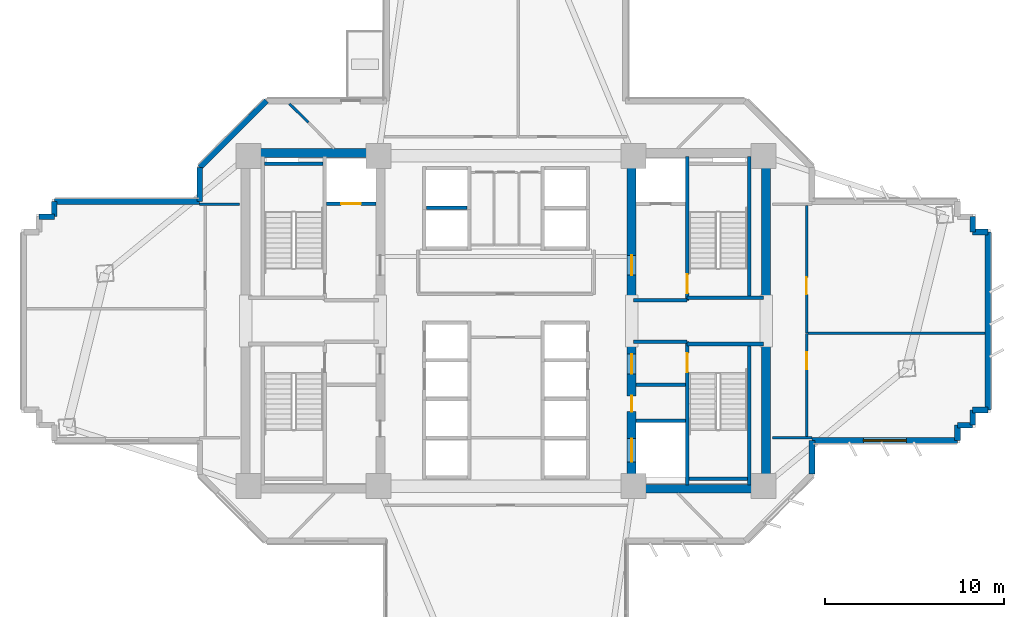
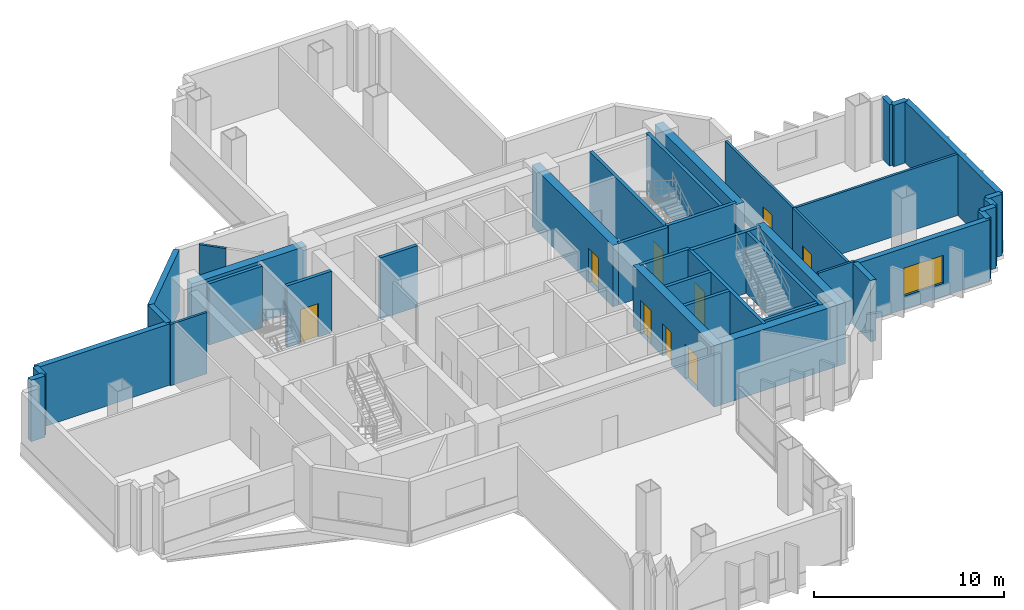
# One storey, part 7 of 14: 40 walls, 9 doors, 1 window, 10 openings.
"""IFC4 building model written with IfcOpenShell, lengths in metres."""

from ifc_helpers import new_model, si_unit, direction, frame, frame_2d, origin, place, context, subcontext, project, spatial, rectangle, extrude, source, transform, mapped, material, layer, layer_set, type_object, element, fill, save


model = new_model("IFC4")

# Units and contexts
model_context = context("Model", 3, precision=1e-05, world=origin(), true_north=direction((0.0, 1.0)))
body_context = subcontext(model_context, "Body", "Model", "MODEL_VIEW")
ifc_project = project(units=[si_unit("LENGTHUNIT", "METRE"), si_unit("AREAUNIT", "SQUARE_METRE"), si_unit("VOLUMEUNIT", "CUBIC_METRE"), si_unit("PLANEANGLEUNIT", "RADIAN"), si_unit("MASSUNIT", "GRAM", prefix="KILO")], contexts=[model_context])

# Site, building, storey
site_placement = place(None, origin())
site = spatial("IfcSite", under=ifc_project, at=site_placement, CompositionType="ELEMENT")
building_placement = place(site_placement, origin())
building = spatial("IfcBuilding", under=site, at=building_placement, Name="Zahravan Cultural Tower", CompositionType="ELEMENT")
storey_placement = place(building_placement, frame((0.0, 0.0, 33.300048828125)))
storey = spatial("IfcBuildingStorey", under=building, at=storey_placement, Name="L06", CompositionType="ELEMENT", Elevation=33.300048828125)

# Wall, openings, doors
ifc_material_1 = material(Name="Concrete C60/75", Category="concrete")
ifc_layer_1 = layer(ifc_material_1, 0.5)
ifc_layer_set_1 = layer_set([ifc_layer_1], Name="Concrete C60/75")
wall_type_1 = type_object("IfcWallType", Name="CW-SHEAR-500-C60", PredefinedType="SHEAR", material=ifc_layer_set_1)
wall_1_placement = place(storey_placement, frame((43.0, 17.39990234375, 0.0), z_axis=(0.0, 0.0, 1.0), x_axis=(0.0, 1.0, 0.0)))
wall_1 = element("IfcWall", 1, at=wall_1_placement, inside=storey, type_object=wall_type_1, Name="L06 Core Shear Wall CW-E-WS-L06", PredefinedType="SHEAR", context=body_context, shape_type="SweptSolid", body=[
    extrude(rectangle(XDim=8.550048828125, YDim=0.5, at=frame_2d((4.27490234375, 0.0))), origin(), (0.0, 0.0, 1.0), 3.949951171875),
])
opening_1_placement = place(wall_1_placement, frame((6.64990234375, 0.0, 0.0)))
opening_1 = element("IfcOpeningElement", 2, at=opening_1_placement, cuts=wall_1, Name="Opening D-L06-08", PredefinedType="OPENING", context=body_context, shape_type="SweptSolid", body=[
    extrude(rectangle(XDim=1.10009765625, YDim=2.199951171875, at=frame_2d((0.550048828125, 1.10009765625))), frame((0.0, 0.260009765625, 0.0), z_axis=(0.0, -1.0, 0.0), x_axis=(1.0, 0.0, 0.0)), (0.0, 0.0, 1.0), 0.52001953125),
])
opening_2_placement = place(wall_1_placement, frame((1.75, 0.0, 0.0)))
opening_2 = element("IfcOpeningElement", 3, at=opening_2_placement, cuts=wall_1, Name="Opening LD-L06-03", PredefinedType="OPENING", context=body_context, shape_type="SweptSolid", body=[
    extrude(rectangle(XDim=1.300048828125, YDim=2.199951171875, at=frame_2d((0.64990234375, 1.10009765625))), frame((0.0, 0.260009765625, 0.0), z_axis=(0.0, -1.0, 0.0), x_axis=(1.0, 0.0, 0.0)), (0.0, 0.0, 1.0), 0.52001953125),
])
opening_3_placement = place(wall_1_placement, frame((4.550048828125, 0.0, 0.0)))
opening_3 = element("IfcOpeningElement", 4, at=opening_3_placement, cuts=wall_1, Name="Opening D-L06-10", PredefinedType="OPENING", context=body_context, shape_type="SweptSolid", body=[
    extrude(rectangle(XDim=0.8798828125, YDim=2.10009765625, at=frame_2d((0.43994140625, 1.050048828125))), frame((0.0, 0.260009765625, 0.0), z_axis=(0.0, -1.0, 0.0), x_axis=(1.0, 0.0, 0.0)), (0.0, 0.0, 1.0), 0.52001953125),
])
ifc_material_2 = material(Name="Steel ASTM A572 Grade 50", Category="steel")
door_type_1 = type_object("IfcDoorType", Name="DR-LOBBY-1100", OperationType="NOTDEFINED", PredefinedType="DOOR", material=ifc_material_2)
shared_shape_1 = source(origin(), body_context, "Body", "SweptSolid", [
    extrude(rectangle(XDim=1.10009765625, YDim=2.199951171875, at=frame_2d((0.550048828125, 1.10009765625))), frame((0.0, 0.02490234375, 0.0), z_axis=(0.0, -1.0, 0.0), x_axis=(1.0, 0.0, 0.0)), (0.0, 0.0, 1.0), 0.050048828125),
])
door_1_placement = place(opening_1_placement, origin())
door_1 = element("IfcDoor", 5, at=door_1_placement, inside=storey, type_object=door_type_1, Name="L06 Door D-L06-08", OperationType="SINGLE_SWING_LEFT", OverallHeight=2.199951171875, OverallWidth=1.10009765625, PredefinedType="DOOR", context=body_context, shape_type="MappedRepresentation", body=[
    mapped(shared_shape_1, transform((0.0, 0.0, 0.0), x_axis=(1.0, 0.0, 0.0), y_axis=(0.0, 1.0, 0.0), z_axis=(0.0, 0.0, 1.0), scale=1.0)),
])
fill(opening_1, door_1)
door_type_2 = type_object("IfcDoorType", Name="DR-LIFT-1300", OperationType="DOUBLE_DOOR_SLIDING", PredefinedType="DOOR", material=ifc_material_2)
shared_shape_2 = source(origin(), body_context, "Body", "SweptSolid", [
    extrude(rectangle(XDim=1.300048828125, YDim=2.199951171875, at=frame_2d((0.64990234375, 1.10009765625))), frame((0.0, 0.02490234375, 0.0), z_axis=(0.0, -1.0, 0.0), x_axis=(1.0, 0.0, 0.0)), (0.0, 0.0, 1.0), 0.050048828125),
])
door_2_placement = place(opening_2_placement, origin())
door_2 = element("IfcDoor", 6, at=door_2_placement, inside=storey, type_object=door_type_2, Name="L06 Door LD-L06-03", OperationType="DOUBLE_DOOR_SLIDING", OverallHeight=2.199951171875, OverallWidth=1.300048828125, PredefinedType="DOOR", context=body_context, shape_type="MappedRepresentation", body=[
    mapped(shared_shape_2, transform((0.0, 0.0, 0.0), x_axis=(1.0, 0.0, 0.0), y_axis=(0.0, 1.0, 0.0), z_axis=(0.0, 0.0, 1.0), scale=1.0)),
])
fill(opening_2, door_2)
door_type_3 = type_object("IfcDoorType", Name="DR-SVC-880", OperationType="NOTDEFINED", PredefinedType="DOOR", material=ifc_material_2)
shared_shape_3 = source(origin(), body_context, "Body", "SweptSolid", [
    extrude(rectangle(XDim=0.8798828125, YDim=2.10009765625, at=frame_2d((0.43994140625, 1.050048828125))), frame((0.0, 0.02490234375, 0.0), z_axis=(0.0, -1.0, 0.0), x_axis=(1.0, 0.0, 0.0)), (0.0, 0.0, 1.0), 0.050048828125),
])
door_3_placement = place(opening_3_placement, origin())
door_3 = element("IfcDoor", 7, at=door_3_placement, inside=storey, type_object=door_type_3, Name="L06 Door D-L06-10", OperationType="SINGLE_SWING_LEFT", OverallHeight=2.10009765625, OverallWidth=0.8798828125, PredefinedType="DOOR", context=body_context, shape_type="MappedRepresentation", body=[
    mapped(shared_shape_3, transform((0.0, 0.0, 0.0), x_axis=(1.0, 0.0, 0.0), y_axis=(0.0, 1.0, 0.0), z_axis=(0.0, 0.0, 1.0), scale=1.0)),
])
fill(opening_3, door_3)

# Wall, opening, door
wall_2_placement = place(storey_placement, frame((43.0, 28.050048828125, 0.0), z_axis=(0.0, 0.0, 1.0), x_axis=(0.0, 1.0, 0.0)))
wall_2 = element("IfcWall", 8, at=wall_2_placement, inside=storey, type_object=wall_type_1, Name="L06 Core Shear Wall CW-E-WN-L06", PredefinedType="SHEAR", context=body_context, shape_type="SweptSolid", body=[
    extrude(rectangle(XDim=8.550048828125, YDim=0.5, at=frame_2d((4.27490234375, 0.0))), origin(), (0.0, 0.0, 1.0), 3.949951171875),
])
opening_4_placement = place(wall_2_placement, frame((1.5, 0.0, 0.0)))
opening_4 = element("IfcOpeningElement", 9, at=opening_4_placement, cuts=wall_2, Name="Opening D-L06-06", PredefinedType="OPENING", context=body_context, shape_type="SweptSolid", body=[
    extrude(rectangle(XDim=1.10009765625, YDim=2.199951171875, at=frame_2d((0.550048828125, 1.10009765625))), frame((0.0, 0.260009765625, 0.0), z_axis=(0.0, -1.0, 0.0), x_axis=(1.0, 0.0, 0.0)), (0.0, 0.0, 1.0), 0.52001953125),
])
door_4_placement = place(opening_4_placement, origin())
door_4 = element("IfcDoor", 10, at=door_4_placement, inside=storey, type_object=door_type_1, Name="L06 Door D-L06-06", OperationType="SINGLE_SWING_LEFT", OverallHeight=2.199951171875, OverallWidth=1.10009765625, PredefinedType="DOOR", context=body_context, shape_type="MappedRepresentation", body=[
    mapped(shared_shape_1, transform((0.0, 0.0, 0.0), x_axis=(1.0, 0.0, 0.0), y_axis=(0.0, 1.0, 0.0), z_axis=(0.0, 0.0, 1.0), scale=1.0)),
])
fill(opening_4, door_4)

# Wall, opening, window
ifc_material_3 = material(Name="Precast concrete C40/50", Category="concrete")
ifc_layer_2 = layer(ifc_material_3, 0.320068359375)
ifc_layer_set_2 = layer_set([ifc_layer_2], Name="Precast concrete C40/50")
wall_type_2 = type_object("IfcWallType", Name="EW-TC-320", PredefinedType="SOLIDWALL", material=ifc_layer_set_2)
wall_3_placement = place(storey_placement, frame((61.159912109375, 20.340087890625, 0.0), z_axis=(0.0, 0.0, 1.0), x_axis=(-1.0, 0.0, 0.0)))
wall_3 = element("IfcWall", 11, at=wall_3_placement, inside=storey, type_object=wall_type_2, Name="L06 Exterior Masonry Frame Wall 11", PredefinedType="SOLIDWALL", context=body_context, shape_type="SweptSolid", body=[
    extrude(rectangle(XDim=8.099853515625, YDim=0.320068359375, at=frame_2d((4.0498046875, 0.0))), origin(), (0.0, 0.0, 1.0), 3.949951171875),
])
opening_5_placement = place(wall_3_placement, frame((2.85009765625, 0.0, 0.85009765625)))
opening_5 = element("IfcOpeningElement", 12, at=opening_5_placement, cuts=wall_3, Name="Opening WN-01", PredefinedType="OPENING", context=body_context, shape_type="SweptSolid", body=[
    extrude(rectangle(XDim=2.39990234375, YDim=1.800048828125, at=frame_2d((1.199951171875, 0.89990234375))), frame((0.0, 0.169921875, 0.0), z_axis=(0.0, -1.0, 0.0), x_axis=(1.0, 0.0, 0.0)), (0.0, 0.0, 1.0), 0.340087890625),
])
ifc_material_4 = material(Name="Low-E solar-control double glazing", Category="glass")
window_type = type_object("IfcWindowType", Name="WN-REC-2400X1800", PartitioningType="DOUBLE_PANEL_VERTICAL", PredefinedType="WINDOW", material=ifc_material_4)
shared_shape_4 = source(origin(), body_context, "Body", "SweptSolid", [
    extrude(rectangle(XDim=2.39990234375, YDim=1.800048828125, at=frame_2d((1.199951171875, 0.89990234375))), frame((0.0, 0.030029296875, 0.0), z_axis=(0.0, -1.0, 0.0), x_axis=(1.0, 0.0, 0.0)), (0.0, 0.0, 1.0), 0.06005859375),
])
window_placement = place(opening_5_placement, origin())
window = element("IfcWindow", 13, at=window_placement, inside=storey, type_object=window_type, Name="L06 Recessed Solar Window 02", OverallHeight=1.800048828125, OverallWidth=2.39990234375, PartitioningType="DOUBLE_PANEL_VERTICAL", PredefinedType="WINDOW", context=body_context, shape_type="MappedRepresentation", body=[
    mapped(shared_shape_4, transform((0.0, 0.0, 0.0), x_axis=(1.0, 0.0, 0.0), y_axis=(0.0, 1.0, 0.0), z_axis=(0.0, 0.0, 1.0), scale=1.0)),
])
fill(opening_5, window)

# Wall, opening, door
ifc_material_5 = material(Name="Gypsum plasterboard partition")
ifc_layer_3 = layer(ifc_material_5, 0.139892578125)
ifc_layer_set_3 = layer_set([ifc_layer_3], Name="Gypsum plasterboard partition")
wall_type_3 = type_object("IfcWallType", Name="W-PART-140", PredefinedType="PARTITIONING", material=ifc_layer_set_3)
wall_4_placement = place(storey_placement, frame((52.75, 20.574951171875, 0.0), z_axis=(0.0, 0.0, 1.0), x_axis=(0.0, 1.0, 0.0)))
wall_4 = element("IfcWall", 14, at=wall_4_placement, inside=storey, type_object=wall_type_3, Name="L06 Interior Wall 085", PredefinedType="PARTITIONING", context=body_context, shape_type="SweptSolid", body=[
    extrude(rectangle(XDim=5.735107421875, YDim=0.139892578125, at=frame_2d((2.86767578125, 0.0))), origin(), (0.0, 0.0, 1.0), 3.949951171875),
])
opening_6_placement = place(wall_4_placement, frame((3.732421875, 0.0, 0.0)))
opening_6 = element("IfcOpeningElement", 15, at=opening_6_placement, cuts=wall_4, Name="Opening D-L06-16", PredefinedType="OPENING", context=body_context, shape_type="SweptSolid", body=[
    extrude(rectangle(XDim=0.949951171875, YDim=2.14990234375, at=frame_2d((0.47509765625, 1.074951171875))), frame((0.0, 0.079833984375, 0.0), z_axis=(0.0, -1.0, 0.0), x_axis=(1.0, 0.0, 0.0)), (0.0, 0.0, 1.0), 0.159912109375),
])
ifc_material_6 = material(Name="Anodised bronze-aluminium mullion", Category="aluminium")
door_type_4 = type_object("IfcDoorType", Name="DR-ROOM-950", OperationType="NOTDEFINED", PredefinedType="DOOR", material=ifc_material_6)
shared_shape_5 = source(origin(), body_context, "Body", "SweptSolid", [
    extrude(rectangle(XDim=0.949951171875, YDim=2.14990234375, at=frame_2d((0.47509765625, 1.074951171875))), frame((0.0, 0.02490234375, 0.0), z_axis=(0.0, -1.0, 0.0), x_axis=(1.0, 0.0, 0.0)), (0.0, 0.0, 1.0), 0.050048828125),
])
door_5_placement = place(opening_6_placement, origin())
door_5 = element("IfcDoor", 16, at=door_5_placement, inside=storey, type_object=door_type_4, Name="L06 Door D-L06-16", OperationType="SINGLE_SWING_LEFT", OverallHeight=2.14990234375, OverallWidth=0.949951171875, PredefinedType="DOOR", context=body_context, shape_type="MappedRepresentation", body=[
    mapped(shared_shape_5, transform((0.0, 0.0, 0.0), x_axis=(1.0, 0.0, 0.0), y_axis=(0.0, 1.0, 0.0), z_axis=(0.0, 0.0, 1.0), scale=1.0)),
])
fill(opening_6, door_5)

wall_5_placement = place(storey_placement, frame((52.75, 26.330078125, 0.0), z_axis=(0.0, 0.0, 1.0), x_axis=(-0.000137660459, 0.999999990525, 0.0)))
wall_5 = element("IfcWall", 17, at=wall_5_placement, inside=storey, type_object=wall_type_3, Name="L06 Interior Wall 090", PredefinedType="PARTITIONING", context=body_context, shape_type="SweptSolid", body=[
    extrude(rectangle(XDim=7.093994140625, YDim=0.139892578125, at=frame_2d((3.546875, 0.0))), origin(), (0.0, 0.0, 1.0), 3.949951171875),
])
opening_7_placement = place(wall_5_placement, frame((2.150390625, 0.0, 0.0)))
opening_7 = element("IfcOpeningElement", 18, at=opening_7_placement, cuts=wall_5, Name="Opening D-L06-17", PredefinedType="OPENING", context=body_context, shape_type="SweptSolid", body=[
    extrude(rectangle(XDim=0.949951171875, YDim=2.14990234375, at=frame_2d((0.47509765625, 1.074951171875))), frame((0.0, 0.079833984375, 0.0), z_axis=(0.0, -1.0, 0.0), x_axis=(1.0, 0.0, 0.0)), (0.0, 0.0, 1.0), 0.159912109375),
])
door_6_placement = place(opening_7_placement, origin())
door_6 = element("IfcDoor", 19, at=door_6_placement, inside=storey, type_object=door_type_4, Name="L06 Door D-L06-17", OperationType="SINGLE_SWING_RIGHT", OverallHeight=2.14990234375, OverallWidth=0.949951171875, PredefinedType="DOOR", context=body_context, shape_type="MappedRepresentation", body=[
    mapped(shared_shape_5, transform((0.0, 0.0, 0.0), x_axis=(1.0, 0.0, 0.0), y_axis=(0.0, 1.0, 0.0), z_axis=(0.0, 0.0, 1.0), scale=1.0)),
])
fill(opening_7, door_6)

ifc_material_7 = material(Name="Concrete C45/55", Category="concrete")
ifc_layer_4 = layer(ifc_material_7, 0.199951171875)
ifc_layer_set_4 = layer_set([ifc_layer_4], Name="Concrete C45/55")
wall_type_4 = type_object("IfcWallType", Name="W-SHAFT-200", PredefinedType="SOLIDWALL", material=ifc_layer_set_4)
wall_6_placement = place(storey_placement, frame((46.10009765625, 17.85009765625, 0.0), z_axis=(0.0, 0.0, 1.0), x_axis=(0.0, 1.0, 0.0)))
wall_6 = element("IfcWall", 20, at=wall_6_placement, inside=storey, type_object=wall_type_4, Name="L06 Interior Wall 007", PredefinedType="SOLIDWALL", context=body_context, shape_type="SweptSolid", body=[
    extrude(rectangle(XDim=8.0, YDim=0.199951171875, at=frame_2d((4.0, 0.0))), origin(), (0.0, 0.0, 1.0), 3.949951171875),
])
opening_8_placement = place(wall_6_placement, frame((6.300048828125, 0.0, 0.0)))
opening_8 = element("IfcOpeningElement", 21, at=opening_8_placement, cuts=wall_6, Name="Opening D-L06-03", PredefinedType="OPENING", context=body_context, shape_type="SweptSolid", body=[
    extrude(rectangle(XDim=1.050048828125, YDim=2.14990234375, at=frame_2d((0.52490234375, 1.074951171875))), frame((0.0, 0.10986328125, 0.0), z_axis=(0.0, -1.0, 0.0), x_axis=(1.0, 0.0, 0.0)), (0.0, 0.0, 1.0), 0.219970703125),
])
door_type_5 = type_object("IfcDoorType", Name="DR-STAIR-1050", OperationType="NOTDEFINED", PredefinedType="DOOR", material=ifc_material_2)
shared_shape_6 = source(origin(), body_context, "Body", "SweptSolid", [
    extrude(rectangle(XDim=1.050048828125, YDim=2.14990234375, at=frame_2d((0.52490234375, 1.074951171875))), frame((0.0, 0.02490234375, 0.0), z_axis=(0.0, -1.0, 0.0), x_axis=(1.0, 0.0, 0.0)), (0.0, 0.0, 1.0), 0.050048828125),
])
door_7_placement = place(opening_8_placement, origin())
door_7 = element("IfcDoor", 22, at=door_7_placement, inside=storey, type_object=door_type_5, Name="L06 Door D-L06-03", OperationType="SINGLE_SWING_RIGHT", OverallHeight=2.14990234375, OverallWidth=1.050048828125, PredefinedType="DOOR", context=body_context, shape_type="MappedRepresentation", body=[
    mapped(shared_shape_6, transform((0.0, 0.0, 0.0), x_axis=(1.0, 0.0, 0.0), y_axis=(0.0, 1.0, 0.0), z_axis=(0.0, 0.0, 1.0), scale=1.0)),
])
fill(opening_8, door_7)

wall_7_placement = place(storey_placement, frame((46.10009765625, 28.14990234375, 0.0), z_axis=(0.0, 0.0, 1.0), x_axis=(0.0, 1.0, 0.0)))
wall_7 = element("IfcWall", 23, at=wall_7_placement, inside=storey, type_object=wall_type_4, Name="L06 Interior Wall 008", PredefinedType="SOLIDWALL", context=body_context, shape_type="SweptSolid", body=[
    extrude(rectangle(XDim=8.0, YDim=0.199951171875, at=frame_2d((4.0, 0.0))), origin(), (0.0, 0.0, 1.0), 3.949951171875),
])
opening_9_placement = place(wall_7_placement, frame((0.39990234375, 0.0, 0.0)))
opening_9 = element("IfcOpeningElement", 24, at=opening_9_placement, cuts=wall_7, Name="Opening D-L06-02", PredefinedType="OPENING", context=body_context, shape_type="SweptSolid", body=[
    extrude(rectangle(XDim=1.050048828125, YDim=2.14990234375, at=frame_2d((0.52490234375, 1.074951171875))), frame((0.0, 0.10986328125, 0.0), z_axis=(0.0, -1.0, 0.0), x_axis=(1.0, 0.0, 0.0)), (0.0, 0.0, 1.0), 0.219970703125),
])
door_8_placement = place(opening_9_placement, origin())
door_8 = element("IfcDoor", 25, at=door_8_placement, inside=storey, type_object=door_type_5, Name="L06 Door D-L06-02", OperationType="SINGLE_SWING_LEFT", OverallHeight=2.14990234375, OverallWidth=1.050048828125, PredefinedType="DOOR", context=body_context, shape_type="MappedRepresentation", body=[
    mapped(shared_shape_6, transform((0.0, 0.0, 0.0), x_axis=(1.0, 0.0, 0.0), y_axis=(0.0, 1.0, 0.0), z_axis=(0.0, 0.0, 1.0), scale=1.0)),
])
fill(opening_9, door_8)

wall_8_placement = place(storey_placement, frame((26.0, 33.52001953125, 0.0), z_axis=(0.0, 0.0, 1.0), x_axis=(1.0, 0.0, 0.0)))
wall_8 = element("IfcWall", 26, at=wall_8_placement, inside=storey, type_object=wall_type_4, Name="L06 Interior Wall 021", PredefinedType="SOLIDWALL", context=body_context, shape_type="SweptSolid", body=[
    extrude(rectangle(XDim=2.75, YDim=0.199951171875, at=frame_2d((1.375, 0.0))), origin(), (0.0, 0.0, 1.0), 3.949951171875),
])
opening_10_placement = place(wall_8_placement, frame((0.820068359375, 0.0, 0.0)))
opening_10 = element("IfcOpeningElement", 27, at=opening_10_placement, cuts=wall_8, Name="Opening LD-L06-01", PredefinedType="OPENING", context=body_context, shape_type="SweptSolid", body=[
    extrude(rectangle(XDim=1.10009765625, YDim=2.14990234375, at=frame_2d((0.550048828125, 1.074951171875))), frame((0.0, 0.10986328125, 0.0), z_axis=(0.0, -1.0, 0.0), x_axis=(1.0, 0.0, 0.0)), (0.0, 0.0, 1.0), 0.219970703125),
])
door_type_6 = type_object("IfcDoorType", Name="DR-LIFT-1100", OperationType="DOUBLE_DOOR_SLIDING", PredefinedType="DOOR", material=ifc_material_2)
shared_shape_7 = source(origin(), body_context, "Body", "SweptSolid", [
    extrude(rectangle(XDim=1.10009765625, YDim=2.14990234375, at=frame_2d((0.550048828125, 1.074951171875))), frame((0.0, 0.02490234375, 0.0), z_axis=(0.0, -1.0, 0.0), x_axis=(1.0, 0.0, 0.0)), (0.0, 0.0, 1.0), 0.050048828125),
])
door_9_placement = place(opening_10_placement, origin())
door_9 = element("IfcDoor", 28, at=door_9_placement, inside=storey, type_object=door_type_6, Name="L06 Door LD-L06-01", OperationType="DOUBLE_DOOR_SLIDING", OverallHeight=2.14990234375, OverallWidth=1.10009765625, PredefinedType="DOOR", context=body_context, shape_type="MappedRepresentation", body=[
    mapped(shared_shape_7, transform((0.0, 0.0, 0.0), x_axis=(1.0, 0.0, 0.0), y_axis=(0.0, 1.0, 0.0), z_axis=(0.0, 0.0, 1.0), scale=1.0)),
])
fill(opening_10, door_9)

# Walls
shared_shape_8 = source(origin(), body_context, "Body", "SweptSolid", [
    extrude(rectangle(XDim=8.550048828125, YDim=0.5, at=frame_2d((4.27490234375, 0.0))), origin(), (0.0, 0.0, 1.0), 3.949951171875),
])
for number, where, z_axis, x_axis, name in (
    (29, (50.5, 17.39990234375, 0.0), (0.0, 0.0, 1.0), (0.0, 1.0, 0.0), "L06 Core Shear Wall CW-E-ES-L06"),
    (30, (50.5, 28.050048828125, 0.0), (0.0, 0.0, 1.0), (0.0, 1.0, 0.0), "L06 Core Shear Wall CW-E-EN-L06"),
):
    element("IfcWall", number, at=place(storey_placement, frame(where, z_axis=z_axis, x_axis=x_axis)), inside=storey, type_object=wall_type_1, Name=name, PredefinedType="SHEAR", context=body_context, shape_type="MappedRepresentation", body=[
        mapped(shared_shape_8, transform((0.0, 0.0, 0.0), x_axis=(1.0, 0.0, 0.0), y_axis=(0.0, 1.0, 0.0), z_axis=(0.0, 0.0, 1.0), scale=1.0)),
    ])
shared_shape_9 = source(origin(), body_context, "Body", "SweptSolid", [
    extrude(rectangle(XDim=7.0, YDim=0.5, at=frame_2d((3.5, 0.0))), origin(), (0.0, 0.0, 1.0), 3.949951171875),
])
for number, where, z_axis, x_axis, name in (
    (31, (21.75, 36.35009765625, 0.0), (0.0, 0.0, 1.0), (1.0, 0.0, 0.0), "L06 Core Shear Wall CW-W-N-L06"),
    (32, (43.25, 17.64990234375, 0.0), (0.0, 0.0, 1.0), (1.0, 0.0, 0.0), "L06 Core Shear Wall CW-E-S-L06"),
):
    element("IfcWall", number, at=place(storey_placement, frame(where, z_axis=z_axis, x_axis=x_axis)), inside=storey, type_object=wall_type_1, Name=name, PredefinedType="SHEAR", context=body_context, shape_type="MappedRepresentation", body=[
        mapped(shared_shape_9, transform((0.0, 0.0, 0.0), x_axis=(1.0, 0.0, 0.0), y_axis=(0.0, 1.0, 0.0), z_axis=(0.0, 0.0, 1.0), scale=1.0)),
    ])
shared_shape_10 = source(origin(), body_context, "Body", "SweptSolid", [
    extrude(rectangle(XDim=0.849853515625, YDim=0.320068359375, at=frame_2d((0.4248046875, 0.0))), origin(), (0.0, 0.0, 1.0), 3.949951171875),
])
for number, where, z_axis, x_axis, name in (
    (33, (61.159912109375, 21.18994140625, 0.0), (0.0, 0.0, 1.0), (0.0, -1.0, 0.0), "L06 Exterior Masonry Frame Wall 10"),
    (34, (10.840087890625, 32.81005859375, 0.0), (0.0, 0.0, 1.0), (0.0, 1.0, 0.0), "L06 Exterior Masonry Frame Wall 36"),
):
    element("IfcWall", number, at=place(storey_placement, frame(where, z_axis=z_axis, x_axis=x_axis)), inside=storey, type_object=wall_type_2, Name=name, PredefinedType="SOLIDWALL", context=body_context, shape_type="MappedRepresentation", body=[
        mapped(shared_shape_10, transform((0.0, 0.0, 0.0), x_axis=(1.0, 0.0, 0.0), y_axis=(0.0, 1.0, 0.0), z_axis=(0.0, 0.0, 1.0), scale=1.0)),
    ])
shared_shape_11 = source(origin(), body_context, "Body", "SweptSolid", [
    extrude(rectangle(XDim=0.85009765625, YDim=0.320068359375, at=frame_2d((0.425048828125, 0.0))), origin(), (0.0, 0.0, 1.0), 3.949951171875),
])
for number, where, z_axis, x_axis, name in (
    (35, (62.010009765625, 32.81005859375, 0.0), (0.0, 0.0, 1.0), (0.0, -1.0, 0.0), "L06 Exterior Masonry Frame Wall 04"),
    (36, (62.010009765625, 31.9599609375, 0.0), (0.0, 0.0, 1.0), (1.0, 0.0, 0.0), "L06 Exterior Masonry Frame Wall 05"),
    (37, (62.860107421875, 22.0400390625, 0.0), (0.0, 0.0, 1.0), (-1.0, 0.0, 0.0), "L06 Exterior Masonry Frame Wall 07"),
    (38, (62.010009765625, 22.0400390625, 0.0), (0.0, 0.0, 1.0), (0.0, -1.0, 0.0), "L06 Exterior Masonry Frame Wall 08"),
    (39, (62.010009765625, 21.18994140625, 0.0), (0.0, 0.0, 1.0), (-1.0, 0.0, 0.0), "L06 Exterior Masonry Frame Wall 09"),
    (40, (9.989990234375, 32.81005859375, 0.0), (0.0, 0.0, 1.0), (1.0, 0.0, 0.0), "L06 Exterior Masonry Frame Wall 35"),
):
    element("IfcWall", number, at=place(storey_placement, frame(where, z_axis=z_axis, x_axis=x_axis)), inside=storey, type_object=wall_type_2, Name=name, PredefinedType="SOLIDWALL", context=body_context, shape_type="MappedRepresentation", body=[
        mapped(shared_shape_11, transform((0.0, 0.0, 0.0), x_axis=(1.0, 0.0, 0.0), y_axis=(0.0, 1.0, 0.0), z_axis=(0.0, 0.0, 1.0), scale=1.0)),
    ])
shared_shape_12 = source(origin(), body_context, "Body", "SweptSolid", [
    extrude(rectangle(XDim=9.919921875, YDim=0.320068359375, at=frame_2d((4.9599609375, 0.0))), origin(), (0.0, 0.0, 1.0), 3.949951171875),
])
wall_9_placement = place(storey_placement, frame((62.860107421875, 31.9599609375, 0.0), z_axis=(0.0, 0.0, 1.0), x_axis=(0.0, -1.0, 0.0)))
element("IfcWall", 41, at=wall_9_placement, inside=storey, type_object=wall_type_2, Name="L06 Exterior Masonry Frame Wall 06", PredefinedType="SOLIDWALL", context=body_context, shape_type="MappedRepresentation", body=[
    mapped(shared_shape_12, transform((0.0, 0.0, 0.0), x_axis=(1.0, 0.0, 0.0), y_axis=(0.0, 1.0, 0.0), z_axis=(0.0, 0.0, 1.0), scale=1.0)),
])
shared_shape_13 = source(origin(), body_context, "Body", "SweptSolid", [
    extrude(rectangle(XDim=1.882080078125, YDim=0.320068359375, at=frame_2d((0.94091796875, 0.0))), origin(), (0.0, 0.0, 1.0), 3.949951171875),
])
for number, where, z_axis, x_axis, name in (
    (42, (53.06005859375, 20.340087890625, 0.0), (0.0, 0.0, 1.0), (0.0, -1.0, 0.0), "L06 Exterior Masonry Frame Wall 12"),
    (43, (18.93994140625, 33.659912109375, 0.0), (0.0, 0.0, 1.0), (0.0, 1.0, 0.0), "L06 Exterior Masonry Frame Wall 38"),
):
    element("IfcWall", number, at=place(storey_placement, frame(where, z_axis=z_axis, x_axis=x_axis)), inside=storey, type_object=wall_type_2, Name=name, PredefinedType="SOLIDWALL", context=body_context, shape_type="MappedRepresentation", body=[
        mapped(shared_shape_13, transform((0.0, 0.0, 0.0), x_axis=(1.0, 0.0, 0.0), y_axis=(0.0, 1.0, 0.0), z_axis=(0.0, 0.0, 1.0), scale=1.0)),
    ])
shared_shape_14 = source(origin(), body_context, "Body", "SweptSolid", [
    extrude(rectangle(XDim=8.099853515625, YDim=0.320068359375, at=frame_2d((4.0498046875, 0.0))), origin(), (0.0, 0.0, 1.0), 3.949951171875),
])
wall_10_placement = place(storey_placement, frame((10.840087890625, 33.659912109375, 0.0), z_axis=(0.0, 0.0, 1.0), x_axis=(1.0, 0.0, 0.0)))
element("IfcWall", 44, at=wall_10_placement, inside=storey, type_object=wall_type_2, Name="L06 Exterior Masonry Frame Wall 37", PredefinedType="SOLIDWALL", context=body_context, shape_type="MappedRepresentation", body=[
    mapped(shared_shape_14, transform((0.0, 0.0, 0.0), x_axis=(1.0, 0.0, 0.0), y_axis=(0.0, 1.0, 0.0), z_axis=(0.0, 0.0, 1.0), scale=1.0)),
])
shared_shape_15 = source(origin(), body_context, "Body", "SweptSolid", [
    extrude(rectangle(XDim=5.258056640625, YDim=0.320068359375, at=frame_2d((2.62890625, 0.0))), origin(), (0.0, 0.0, 1.0), 3.949951171875),
])
wall_11_placement = place(storey_placement, frame((18.93994140625, 35.5419921875, 0.0), z_axis=(0.0, 0.0, 1.0), x_axis=(0.707106781187, 0.707106781187, 0.0)))
element("IfcWall", 45, at=wall_11_placement, inside=storey, type_object=wall_type_2, Name="L06 Exterior Masonry Frame Wall 39", PredefinedType="SOLIDWALL", context=body_context, shape_type="MappedRepresentation", body=[
    mapped(shared_shape_15, transform((0.0, 0.0, 0.0), x_axis=(1.0, 0.0, 0.0), y_axis=(0.0, 1.0, 0.0), z_axis=(0.0, 0.0, 1.0), scale=1.0)),
])
shared_shape_16 = source(origin(), body_context, "Body", "SweptSolid", [
    extrude(rectangle(XDim=7.869873046875, YDim=0.199951171875, at=frame_2d((3.93505859375, 0.0))), origin(), (0.0, 0.0, 1.0), 3.949951171875),
])
for number, where, z_axis, x_axis, name in (
    (46, (49.550048828125, 17.85009765625, 0.0), (0.0, 0.0, 1.0), (0.0, 1.0, 0.0), "L06 Interior Wall 003"),
    (47, (49.550048828125, 28.280029296875, 0.0), (0.0, 0.0, 1.0), (0.0, 1.0, 0.0), "L06 Interior Wall 004"),
):
    element("IfcWall", number, at=place(storey_placement, frame(where, z_axis=z_axis, x_axis=x_axis)), inside=storey, type_object=wall_type_4, Name=name, PredefinedType="SOLIDWALL", context=body_context, shape_type="MappedRepresentation", body=[
        mapped(shared_shape_16, transform((0.0, 0.0, 0.0), x_axis=(1.0, 0.0, 0.0), y_axis=(0.0, 1.0, 0.0), z_axis=(0.0, 0.0, 1.0), scale=1.0)),
    ])
shared_shape_17 = source(origin(), body_context, "Body", "SweptSolid", [
    extrude(rectangle(XDim=4.25, YDim=0.199951171875, at=frame_2d((2.125, 0.0))), origin(), (0.0, 0.0, 1.0), 3.949951171875),
])
for number, where, z_axis, x_axis, name in (
    (48, (46.10009765625, 25.715087890625, 0.0), (0.0, 0.0, 1.0), (1.0, 0.0, 0.0), "L06 Interior Wall 014"),
    (49, (46.10009765625, 28.284912109375, 0.0), (0.0, 0.0, 1.0), (1.0, 0.0, 0.0), "L06 Interior Wall 016"),
):
    element("IfcWall", number, at=place(storey_placement, frame(where, z_axis=z_axis, x_axis=x_axis)), inside=storey, type_object=wall_type_4, Name=name, PredefinedType="SOLIDWALL", context=body_context, shape_type="MappedRepresentation", body=[
        mapped(shared_shape_17, transform((0.0, 0.0, 0.0), x_axis=(1.0, 0.0, 0.0), y_axis=(0.0, 1.0, 0.0), z_axis=(0.0, 0.0, 1.0), scale=1.0)),
    ])
shared_shape_18 = source(origin(), body_context, "Body", "SweptSolid", [
    extrude(rectangle(XDim=3.0, YDim=0.199951171875, at=frame_2d((1.5, 0.0))), origin(), (0.0, 0.0, 1.0), 3.949951171875),
])
for number, where, z_axis, x_axis, name in (
    (50, (43.10009765625, 25.85009765625, 0.0), (0.0, 0.0, 1.0), (1.0, 0.0, 0.0), "L06 Interior Wall 013"),
    (51, (43.10009765625, 28.14990234375, 0.0), (0.0, 0.0, 1.0), (1.0, 0.0, 0.0), "L06 Interior Wall 015"),
):
    element("IfcWall", number, at=place(storey_placement, frame(where, z_axis=z_axis, x_axis=x_axis)), inside=storey, type_object=wall_type_4, Name=name, PredefinedType="SOLIDWALL", context=body_context, shape_type="MappedRepresentation", body=[
        mapped(shared_shape_18, transform((0.0, 0.0, 0.0), x_axis=(1.0, 0.0, 0.0), y_axis=(0.0, 1.0, 0.0), z_axis=(0.0, 0.0, 1.0), scale=1.0)),
    ])
shared_shape_19 = source(origin(), body_context, "Body", "SweptSolid", [
    extrude(rectangle(XDim=3.25, YDim=0.199951171875, at=frame_2d((1.625, 0.0))), origin(), (0.0, 0.0, 1.0), 3.949951171875),
])
for number, where, z_axis, x_axis, name in (
    (52, (22.550048828125, 35.75, 0.0), (0.0, 0.0, 1.0), (1.0, 0.0, 0.0), "L06 Interior Wall 017"),
    (53, (46.199951171875, 18.199951171875, 0.0), (0.0, 0.0, 1.0), (1.0, 0.0, 0.0), "L06 Interior Wall 020"),
):
    element("IfcWall", number, at=place(storey_placement, frame(where, z_axis=z_axis, x_axis=x_axis)), inside=storey, type_object=wall_type_4, Name=name, PredefinedType="SOLIDWALL", context=body_context, shape_type="MappedRepresentation", body=[
        mapped(shared_shape_19, transform((0.0, 0.0, 0.0), x_axis=(1.0, 0.0, 0.0), y_axis=(0.0, 1.0, 0.0), z_axis=(0.0, 0.0, 1.0), scale=1.0)),
    ])
shared_shape_20 = source(origin(), body_context, "Body", "SweptSolid", [
    extrude(rectangle(XDim=2.75, YDim=0.199951171875, at=frame_2d((1.375, 0.0))), origin(), (0.0, 0.0, 1.0), 3.949951171875),
])
for number, where, z_axis, x_axis, name in (
    (54, (43.25, 23.449951171875, 0.0), (0.0, 0.0, 1.0), (1.0, 0.0, 0.0), "L06 Interior Wall 024"),
    (55, (43.25, 21.449951171875, 0.0), (0.0, 0.0, 1.0), (1.0, 0.0, 0.0), "L06 Interior Wall 025"),
):
    element("IfcWall", number, at=place(storey_placement, frame(where, z_axis=z_axis, x_axis=x_axis)), inside=storey, type_object=wall_type_4, Name=name, PredefinedType="SOLIDWALL", context=body_context, shape_type="MappedRepresentation", body=[
        mapped(shared_shape_20, transform((0.0, 0.0, 0.0), x_axis=(1.0, 0.0, 0.0), y_axis=(0.0, 1.0, 0.0), z_axis=(0.0, 0.0, 1.0), scale=1.0)),
    ])
shared_shape_21 = source(origin(), body_context, "Body", "SweptSolid", [
    extrude(rectangle(XDim=2.260009765625, YDim=0.199951171875, at=frame_2d((1.1298828125, 0.0))), origin(), (0.0, 0.0, 1.0), 3.949951171875),
])
wall_12_placement = place(storey_placement, frame((31.570068359375, 33.300048828125, 0.0), z_axis=(0.0, 0.0, 1.0), x_axis=(1.0, 0.0, 0.0)))
element("IfcWall", 56, at=wall_12_placement, inside=storey, type_object=wall_type_4, Name="L06 Interior Wall 028", PredefinedType="SOLIDWALL", context=body_context, shape_type="MappedRepresentation", body=[
    mapped(shared_shape_21, transform((0.0, 0.0, 0.0), x_axis=(1.0, 0.0, 0.0), y_axis=(0.0, 1.0, 0.0), z_axis=(0.0, 0.0, 1.0), scale=1.0)),
])
shared_shape_22 = source(origin(), body_context, "Body", "SweptSolid", [
    extrude(rectangle(XDim=1.471435546875, YDim=0.139892578125, at=frame_2d((0.73583984375, 0.0))), origin(), (0.0, 0.0, 1.0), 3.949951171875),
])
wall_13_placement = place(storey_placement, frame((23.944580078125, 39.094970703125, 0.0), z_axis=(0.0, 0.0, 1.0), x_axis=(0.710417151562, -0.703780840011, 0.0)))
element("IfcWall", 57, at=wall_13_placement, inside=storey, type_object=wall_type_3, Name="L06 Interior Wall 081", PredefinedType="PARTITIONING", context=body_context, shape_type="MappedRepresentation", body=[
    mapped(shared_shape_22, transform((0.0, 0.0, 0.0), x_axis=(1.0, 0.0, 0.0), y_axis=(0.0, 1.0, 0.0), z_axis=(0.0, 0.0, 1.0), scale=1.0)),
])
shared_shape_23 = source(origin(), body_context, "Body", "SweptSolid", [
    extrude(rectangle(XDim=2.21435546875, YDim=0.139892578125, at=frame_2d((1.107177734375, 0.0))), origin(), (0.0, 0.0, 1.0), 3.949951171875),
])
wall_14_placement = place(storey_placement, frame((21.1494140625, 33.49658203125, 0.0), z_axis=(0.0, 0.0, 1.0), x_axis=(-0.999999993922, -0.000110253583, 0.0)))
element("IfcWall", 58, at=wall_14_placement, inside=storey, type_object=wall_type_3, Name="L06 Interior Wall 083", PredefinedType="PARTITIONING", context=body_context, shape_type="MappedRepresentation", body=[
    mapped(shared_shape_23, transform((0.0, 0.0, 0.0), x_axis=(1.0, 0.0, 0.0), y_axis=(0.0, 1.0, 0.0), z_axis=(0.0, 0.0, 1.0), scale=1.0)),
])
shared_shape_24 = source(origin(), body_context, "Body", "SweptSolid", [
    extrude(rectangle(XDim=2.21240234375, YDim=0.139892578125, at=frame_2d((1.106201171875, 0.0))), origin(), (0.0, 0.0, 1.0), 3.949951171875),
])
wall_15_placement = place(storey_placement, frame((50.8525390625, 20.50244140625, 0.0), z_axis=(0.0, 0.0, 1.0), x_axis=(0.999999123234, -0.00132420983, 0.0)))
element("IfcWall", 59, at=wall_15_placement, inside=storey, type_object=wall_type_3, Name="L06 Interior Wall 084", PredefinedType="PARTITIONING", context=body_context, shape_type="MappedRepresentation", body=[
    mapped(shared_shape_24, transform((0.0, 0.0, 0.0), x_axis=(1.0, 0.0, 0.0), y_axis=(0.0, 1.0, 0.0), z_axis=(0.0, 0.0, 1.0), scale=1.0)),
])
shared_shape_25 = source(origin(), body_context, "Body", "SweptSolid", [
    extrude(rectangle(XDim=9.8701171875, YDim=0.139892578125, at=frame_2d((4.93505859375, 0.0))), origin(), (0.0, 0.0, 1.0), 3.949951171875),
])
wall_16_placement = place(storey_placement, frame((52.824951171875, 26.31005859375, 0.0), z_axis=(0.0, 0.0, 1.0), x_axis=(1.0, 0.0, 0.0)))
element("IfcWall", 60, at=wall_16_placement, inside=storey, type_object=wall_type_3, Name="L06 Interior Wall 086", PredefinedType="PARTITIONING", context=body_context, shape_type="MappedRepresentation", body=[
    mapped(shared_shape_25, transform((0.0, 0.0, 0.0), x_axis=(1.0, 0.0, 0.0), y_axis=(0.0, 1.0, 0.0), z_axis=(0.0, 0.0, 1.0), scale=1.0)),
])

save(model, "model.ifc")
